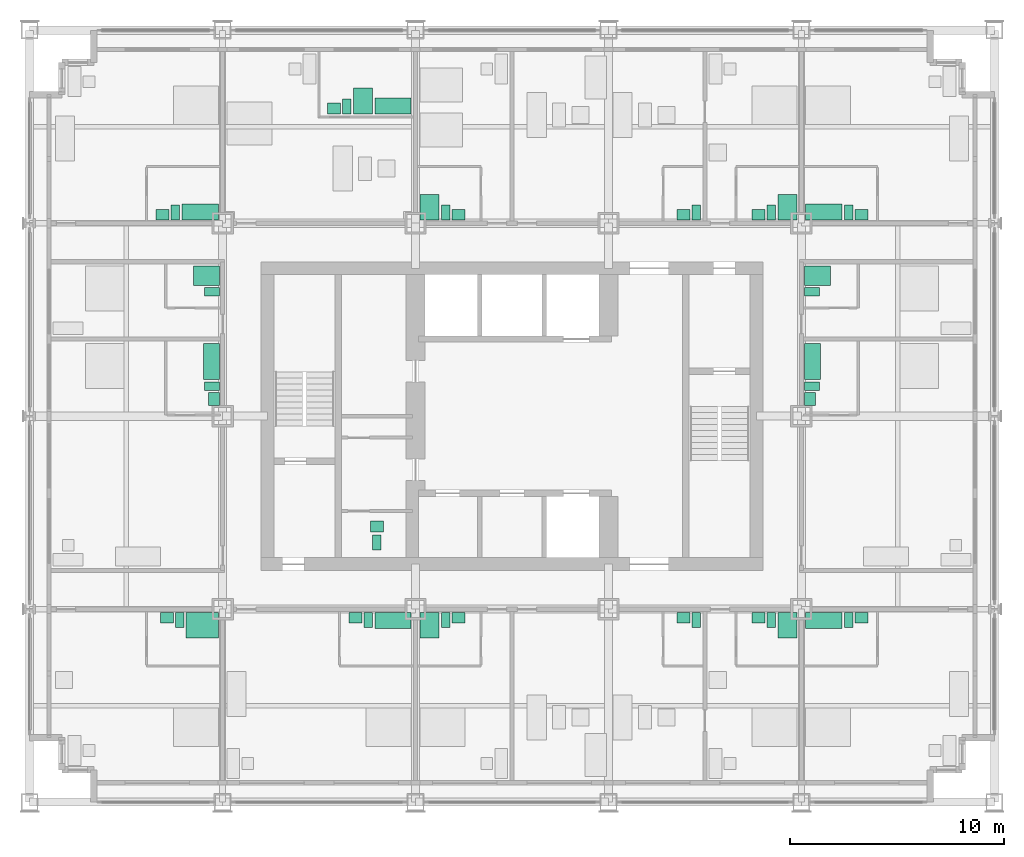
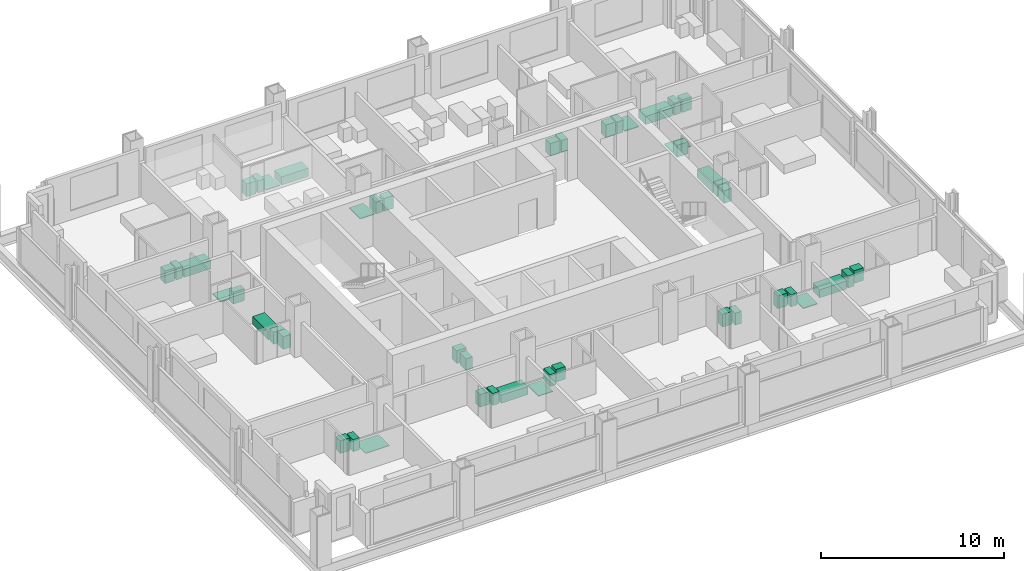
# One storey, part 16 of 17: 47 sanitary terminals.
"""IFC4 building model written with IfcOpenShell, lengths in metres."""

from ifc_helpers import new_model, si_unit, direction, frame, origin, origin_2d, place, context, subcontext, project, spatial, rectangle, extrude, element, save


model = new_model("IFC4")

# Units and contexts
model_context = context("Model", 3, precision=1e-05, world=origin(), true_north=direction((0.0, 1.0)))
body_context = subcontext(model_context, "Body", "Model", "MODEL_VIEW")
ifc_project = project(units=[si_unit("LENGTHUNIT", "METRE"), si_unit("AREAUNIT", "SQUARE_METRE"), si_unit("VOLUMEUNIT", "CUBIC_METRE"), si_unit("PLANEANGLEUNIT", "RADIAN"), si_unit("MASSUNIT", "GRAM", prefix="KILO")], contexts=[model_context])

# Site, building, storey
site_placement = place(None, origin())
site = spatial("IfcSite", under=ifc_project, at=site_placement, CompositionType="ELEMENT")
building_placement = place(site_placement, origin())
building = spatial("IfcBuilding", under=site, at=building_placement, Name="Loomwork Tower", CompositionType="ELEMENT")
storey_placement = place(building_placement, frame((0.0, 0.0, 152.0)))
storey = spatial("IfcBuildingStorey", under=building, at=storey_placement, Name="L41", CompositionType="ELEMENT", Elevation=152.0)

# Sanitary terminals
sanitary_terminal_1_placement = place(storey_placement, frame((8.050048828125, 8.25, 0.0), z_axis=(0.0, 0.0, 1.0), x_axis=(1.0, 0.0, 0.0)))
element("IfcSanitaryTerminal", 1, at=sanitary_terminal_1_placement, inside=storey, Name="Roll-in shower floor L41", PredefinedType="SHOWER", context=body_context, shape_type="SweptSolid", body=[
    extrude(rectangle(XDim=1.5, YDim=1.199951171875, at=origin_2d()), origin(), (0.0, 0.0, 1.0), 0.030029296875),
])
sanitary_terminal_2_placement = place(storey_placement, frame((7.0, 8.5, 0.0), z_axis=(0.0, 0.0, 1.0), x_axis=(1.0, 0.0, 0.0)))
element("IfcSanitaryTerminal", 2, at=sanitary_terminal_2_placement, inside=storey, Name="WC L41", PredefinedType="TOILETPAN", context=body_context, shape_type="SweptSolid", body=[
    extrude(rectangle(XDim=0.39990234375, YDim=0.699951171875, at=origin_2d()), origin(), (0.0, 0.0, 1.0), 0.800048828125),
])
sanitary_terminal_3_placement = place(storey_placement, frame((6.39990234375, 8.60009765625, 0.0), z_axis=(0.0, 0.0, 1.0), x_axis=(1.0, 0.0, 0.0)))
element("IfcSanitaryTerminal", 3, at=sanitary_terminal_3_placement, inside=storey, Name="Basin vanity L41", PredefinedType="WASHHANDBASIN", context=body_context, shape_type="SweptSolid", body=[
    extrude(rectangle(XDim=0.60009765625, YDim=0.5, at=origin_2d()), origin(), (0.0, 0.0, 1.0), 0.85009765625),
])
sanitary_terminal_4_placement = place(storey_placement, frame((16.949951171875, 8.47509765625, 0.0), z_axis=(0.0, 0.0, 1.0), x_axis=(1.0, 0.0, 0.0)))
element("IfcSanitaryTerminal", 4, at=sanitary_terminal_4_placement, inside=storey, Name="Bath L41", PredefinedType="BATH", context=body_context, shape_type="SweptSolid", body=[
    extrude(rectangle(XDim=1.699951171875, YDim=0.75, at=origin_2d()), origin(), (0.0, 0.0, 1.0), 0.550048828125),
])
sanitary_terminal_5_placement = place(storey_placement, frame((15.800048828125, 8.5, 0.0), z_axis=(0.0, 0.0, 1.0), x_axis=(1.0, 0.0, 0.0)))
element("IfcSanitaryTerminal", 5, at=sanitary_terminal_5_placement, inside=storey, Name="WC L41", PredefinedType="TOILETPAN", context=body_context, shape_type="SweptSolid", body=[
    extrude(rectangle(XDim=0.39990234375, YDim=0.699951171875, at=origin_2d()), origin(), (0.0, 0.0, 1.0), 0.800048828125),
])
sanitary_terminal_6_placement = place(storey_placement, frame((15.199951171875, 8.60009765625, 0.0), z_axis=(0.0, 0.0, 1.0), x_axis=(1.0, 0.0, 0.0)))
element("IfcSanitaryTerminal", 6, at=sanitary_terminal_6_placement, inside=storey, Name="Basin vanity L41", PredefinedType="WASHHANDBASIN", context=body_context, shape_type="SweptSolid", body=[
    extrude(rectangle(XDim=0.60009765625, YDim=0.5, at=origin_2d()), origin(), (0.0, 0.0, 1.0), 0.85009765625),
])
sanitary_terminal_7_placement = place(storey_placement, frame((18.64990234375, 8.25, 0.0), z_axis=(0.0, 0.0, 1.0), x_axis=(1.0, 0.0, 0.0)))
element("IfcSanitaryTerminal", 7, at=sanitary_terminal_7_placement, inside=storey, Name="Shower tray L41", PredefinedType="SHOWER", context=body_context, shape_type="SweptSolid", body=[
    extrude(rectangle(XDim=0.89990234375, YDim=1.199951171875, at=origin_2d()), origin(), (0.0, 0.0, 1.0), 0.050048828125),
])
sanitary_terminal_8_placement = place(storey_placement, frame((19.39990234375, 8.5, 0.0), z_axis=(0.0, 0.0, 1.0), x_axis=(1.0, 0.0, 0.0)))
element("IfcSanitaryTerminal", 8, at=sanitary_terminal_8_placement, inside=storey, Name="WC L41", PredefinedType="TOILETPAN", context=body_context, shape_type="SweptSolid", body=[
    extrude(rectangle(XDim=0.39990234375, YDim=0.699951171875, at=origin_2d()), origin(), (0.0, 0.0, 1.0), 0.800048828125),
])
sanitary_terminal_9_placement = place(storey_placement, frame((20.0, 8.60009765625, 0.0), z_axis=(0.0, 0.0, 1.0), x_axis=(1.0, 0.0, 0.0)))
element("IfcSanitaryTerminal", 9, at=sanitary_terminal_9_placement, inside=storey, Name="Basin vanity L41", PredefinedType="WASHHANDBASIN", context=body_context, shape_type="SweptSolid", body=[
    extrude(rectangle(XDim=0.60009765625, YDim=0.5, at=origin_2d()), origin(), (0.0, 0.0, 1.0), 0.85009765625),
])
sanitary_terminal_10_placement = place(storey_placement, frame((31.10009765625, 8.5, 0.0), z_axis=(0.0, 0.0, 1.0), x_axis=(1.0, 0.0, 0.0)))
element("IfcSanitaryTerminal", 10, at=sanitary_terminal_10_placement, inside=storey, Name="WC L41", PredefinedType="TOILETPAN", context=body_context, shape_type="SweptSolid", body=[
    extrude(rectangle(XDim=0.39990234375, YDim=0.699951171875, at=origin_2d()), origin(), (0.0, 0.0, 1.0), 0.800048828125),
])
sanitary_terminal_11_placement = place(storey_placement, frame((30.5, 8.60009765625, 0.0), z_axis=(0.0, 0.0, 1.0), x_axis=(1.0, 0.0, 0.0)))
element("IfcSanitaryTerminal", 11, at=sanitary_terminal_11_placement, inside=storey, Name="Basin vanity L41", PredefinedType="WASHHANDBASIN", context=body_context, shape_type="SweptSolid", body=[
    extrude(rectangle(XDim=0.60009765625, YDim=0.5, at=origin_2d()), origin(), (0.0, 0.0, 1.0), 0.85009765625),
])
sanitary_terminal_12_placement = place(storey_placement, frame((35.35009765625, 8.25, 0.0), z_axis=(0.0, 0.0, 1.0), x_axis=(1.0, 0.0, 0.0)))
element("IfcSanitaryTerminal", 12, at=sanitary_terminal_12_placement, inside=storey, Name="Shower tray L41", PredefinedType="SHOWER", context=body_context, shape_type="SweptSolid", body=[
    extrude(rectangle(XDim=0.89990234375, YDim=1.199951171875, at=origin_2d()), origin(), (0.0, 0.0, 1.0), 0.050048828125),
])
sanitary_terminal_13_placement = place(storey_placement, frame((34.60009765625, 8.5, 0.0), z_axis=(0.0, 0.0, 1.0), x_axis=(1.0, 0.0, 0.0)))
element("IfcSanitaryTerminal", 13, at=sanitary_terminal_13_placement, inside=storey, Name="WC L41", PredefinedType="TOILETPAN", context=body_context, shape_type="SweptSolid", body=[
    extrude(rectangle(XDim=0.39990234375, YDim=0.699951171875, at=origin_2d()), origin(), (0.0, 0.0, 1.0), 0.800048828125),
])
sanitary_terminal_14_placement = place(storey_placement, frame((34.0, 8.60009765625, 0.0), z_axis=(0.0, 0.0, 1.0), x_axis=(1.0, 0.0, 0.0)))
element("IfcSanitaryTerminal", 14, at=sanitary_terminal_14_placement, inside=storey, Name="Basin vanity L41", PredefinedType="WASHHANDBASIN", context=body_context, shape_type="SweptSolid", body=[
    extrude(rectangle(XDim=0.60009765625, YDim=0.5, at=origin_2d()), origin(), (0.0, 0.0, 1.0), 0.85009765625),
])
sanitary_terminal_15_placement = place(storey_placement, frame((37.050048828125, 8.47509765625, 0.0), z_axis=(0.0, 0.0, 1.0), x_axis=(1.0, 0.0, 0.0)))
element("IfcSanitaryTerminal", 15, at=sanitary_terminal_15_placement, inside=storey, Name="Bath L41", PredefinedType="BATH", context=body_context, shape_type="SweptSolid", body=[
    extrude(rectangle(XDim=1.699951171875, YDim=0.75, at=origin_2d()), origin(), (0.0, 0.0, 1.0), 0.550048828125),
])
sanitary_terminal_16_placement = place(storey_placement, frame((38.199951171875, 8.5, 0.0), z_axis=(0.0, 0.0, 1.0), x_axis=(1.0, 0.0, 0.0)))
element("IfcSanitaryTerminal", 16, at=sanitary_terminal_16_placement, inside=storey, Name="WC L41", PredefinedType="TOILETPAN", context=body_context, shape_type="SweptSolid", body=[
    extrude(rectangle(XDim=0.39990234375, YDim=0.699951171875, at=origin_2d()), origin(), (0.0, 0.0, 1.0), 0.800048828125),
])
sanitary_terminal_17_placement = place(storey_placement, frame((38.800048828125, 8.60009765625, 0.0), z_axis=(0.0, 0.0, 1.0), x_axis=(1.0, 0.0, 0.0)))
element("IfcSanitaryTerminal", 17, at=sanitary_terminal_17_placement, inside=storey, Name="Basin vanity L41", PredefinedType="WASHHANDBASIN", context=body_context, shape_type="SweptSolid", body=[
    extrude(rectangle(XDim=0.60009765625, YDim=0.5, at=origin_2d()), origin(), (0.0, 0.0, 1.0), 0.85009765625),
])
sanitary_terminal_18_placement = place(storey_placement, frame((7.949951171875, 27.52490234375, 0.0), z_axis=(0.0, 0.0, 1.0), x_axis=(1.0, 0.0, 0.0)))
element("IfcSanitaryTerminal", 18, at=sanitary_terminal_18_placement, inside=storey, Name="Bath L41", PredefinedType="BATH", context=body_context, shape_type="SweptSolid", body=[
    extrude(rectangle(XDim=1.699951171875, YDim=0.75, at=origin_2d()), origin(), (0.0, 0.0, 1.0), 0.550048828125),
])
sanitary_terminal_19_placement = place(storey_placement, frame((6.800048828125, 27.5, 0.0), z_axis=(0.0, 0.0, 1.0), x_axis=(1.0, 0.0, 0.0)))
element("IfcSanitaryTerminal", 19, at=sanitary_terminal_19_placement, inside=storey, Name="WC L41", PredefinedType="TOILETPAN", context=body_context, shape_type="SweptSolid", body=[
    extrude(rectangle(XDim=0.39990234375, YDim=0.699951171875, at=origin_2d()), origin(), (0.0, 0.0, 1.0), 0.800048828125),
])
sanitary_terminal_20_placement = place(storey_placement, frame((6.199951171875, 27.39990234375, 0.0), z_axis=(0.0, 0.0, 1.0), x_axis=(1.0, 0.0, 0.0)))
element("IfcSanitaryTerminal", 20, at=sanitary_terminal_20_placement, inside=storey, Name="Basin vanity L41", PredefinedType="WASHHANDBASIN", context=body_context, shape_type="SweptSolid", body=[
    extrude(rectangle(XDim=0.60009765625, YDim=0.5, at=origin_2d()), origin(), (0.0, 0.0, 1.0), 0.85009765625),
])
sanitary_terminal_21_placement = place(storey_placement, frame((16.949951171875, 32.47509765625, 0.0), z_axis=(0.0, 0.0, 1.0), x_axis=(1.0, 0.0, 0.0)))
element("IfcSanitaryTerminal", 21, at=sanitary_terminal_21_placement, inside=storey, Name="Bath L41", PredefinedType="BATH", context=body_context, shape_type="SweptSolid", body=[
    extrude(rectangle(XDim=1.699951171875, YDim=0.75, at=origin_2d()), origin(), (0.0, 0.0, 1.0), 0.550048828125),
])
sanitary_terminal_22_placement = place(storey_placement, frame((15.550048828125, 32.699951171875, 0.0), z_axis=(0.0, 0.0, 1.0), x_axis=(1.0, 0.0, 0.0)))
element("IfcSanitaryTerminal", 22, at=sanitary_terminal_22_placement, inside=storey, Name="Shower tray L41", PredefinedType="SHOWER", context=body_context, shape_type="SweptSolid", body=[
    extrude(rectangle(XDim=0.89990234375, YDim=1.199951171875, at=origin_2d()), origin(), (0.0, 0.0, 1.0), 0.050048828125),
])
sanitary_terminal_23_placement = place(storey_placement, frame((14.800048828125, 32.449951171875, 0.0), z_axis=(0.0, 0.0, 1.0), x_axis=(1.0, 0.0, 0.0)))
element("IfcSanitaryTerminal", 23, at=sanitary_terminal_23_placement, inside=storey, Name="WC L41", PredefinedType="TOILETPAN", context=body_context, shape_type="SweptSolid", body=[
    extrude(rectangle(XDim=0.39990234375, YDim=0.699951171875, at=origin_2d()), origin(), (0.0, 0.0, 1.0), 0.800048828125),
])
sanitary_terminal_24_placement = place(storey_placement, frame((14.199951171875, 32.35009765625, 0.0), z_axis=(0.0, 0.0, 1.0), x_axis=(1.0, 0.0, 0.0)))
element("IfcSanitaryTerminal", 24, at=sanitary_terminal_24_placement, inside=storey, Name="Basin vanity L41", PredefinedType="WASHHANDBASIN", context=body_context, shape_type="SweptSolid", body=[
    extrude(rectangle(XDim=0.60009765625, YDim=0.5, at=origin_2d()), origin(), (0.0, 0.0, 1.0), 0.85009765625),
])
sanitary_terminal_25_placement = place(storey_placement, frame((18.64990234375, 27.75, 0.0), z_axis=(0.0, 0.0, 1.0), x_axis=(1.0, 0.0, 0.0)))
element("IfcSanitaryTerminal", 25, at=sanitary_terminal_25_placement, inside=storey, Name="Shower tray L41", PredefinedType="SHOWER", context=body_context, shape_type="SweptSolid", body=[
    extrude(rectangle(XDim=0.89990234375, YDim=1.199951171875, at=origin_2d()), origin(), (0.0, 0.0, 1.0), 0.050048828125),
])
sanitary_terminal_26_placement = place(storey_placement, frame((19.39990234375, 27.5, 0.0), z_axis=(0.0, 0.0, 1.0), x_axis=(1.0, 0.0, 0.0)))
element("IfcSanitaryTerminal", 26, at=sanitary_terminal_26_placement, inside=storey, Name="WC L41", PredefinedType="TOILETPAN", context=body_context, shape_type="SweptSolid", body=[
    extrude(rectangle(XDim=0.39990234375, YDim=0.699951171875, at=origin_2d()), origin(), (0.0, 0.0, 1.0), 0.800048828125),
])
sanitary_terminal_27_placement = place(storey_placement, frame((20.0, 27.39990234375, 0.0), z_axis=(0.0, 0.0, 1.0), x_axis=(1.0, 0.0, 0.0)))
element("IfcSanitaryTerminal", 27, at=sanitary_terminal_27_placement, inside=storey, Name="Basin vanity L41", PredefinedType="WASHHANDBASIN", context=body_context, shape_type="SweptSolid", body=[
    extrude(rectangle(XDim=0.60009765625, YDim=0.5, at=origin_2d()), origin(), (0.0, 0.0, 1.0), 0.85009765625),
])
sanitary_terminal_28_placement = place(storey_placement, frame((31.10009765625, 27.5, 0.0), z_axis=(0.0, 0.0, 1.0), x_axis=(1.0, 0.0, 0.0)))
element("IfcSanitaryTerminal", 28, at=sanitary_terminal_28_placement, inside=storey, Name="WC L41", PredefinedType="TOILETPAN", context=body_context, shape_type="SweptSolid", body=[
    extrude(rectangle(XDim=0.39990234375, YDim=0.699951171875, at=origin_2d()), origin(), (0.0, 0.0, 1.0), 0.800048828125),
])
sanitary_terminal_29_placement = place(storey_placement, frame((30.5, 27.39990234375, 0.0), z_axis=(0.0, 0.0, 1.0), x_axis=(1.0, 0.0, 0.0)))
element("IfcSanitaryTerminal", 29, at=sanitary_terminal_29_placement, inside=storey, Name="Basin vanity L41", PredefinedType="WASHHANDBASIN", context=body_context, shape_type="SweptSolid", body=[
    extrude(rectangle(XDim=0.60009765625, YDim=0.5, at=origin_2d()), origin(), (0.0, 0.0, 1.0), 0.85009765625),
])
sanitary_terminal_30_placement = place(storey_placement, frame((35.35009765625, 27.75, 0.0), z_axis=(0.0, 0.0, 1.0), x_axis=(1.0, 0.0, 0.0)))
element("IfcSanitaryTerminal", 30, at=sanitary_terminal_30_placement, inside=storey, Name="Shower tray L41", PredefinedType="SHOWER", context=body_context, shape_type="SweptSolid", body=[
    extrude(rectangle(XDim=0.89990234375, YDim=1.199951171875, at=origin_2d()), origin(), (0.0, 0.0, 1.0), 0.050048828125),
])
sanitary_terminal_31_placement = place(storey_placement, frame((34.60009765625, 27.5, 0.0), z_axis=(0.0, 0.0, 1.0), x_axis=(1.0, 0.0, 0.0)))
element("IfcSanitaryTerminal", 31, at=sanitary_terminal_31_placement, inside=storey, Name="WC L41", PredefinedType="TOILETPAN", context=body_context, shape_type="SweptSolid", body=[
    extrude(rectangle(XDim=0.39990234375, YDim=0.699951171875, at=origin_2d()), origin(), (0.0, 0.0, 1.0), 0.800048828125),
])
sanitary_terminal_32_placement = place(storey_placement, frame((34.0, 27.39990234375, 0.0), z_axis=(0.0, 0.0, 1.0), x_axis=(1.0, 0.0, 0.0)))
element("IfcSanitaryTerminal", 32, at=sanitary_terminal_32_placement, inside=storey, Name="Basin vanity L41", PredefinedType="WASHHANDBASIN", context=body_context, shape_type="SweptSolid", body=[
    extrude(rectangle(XDim=0.60009765625, YDim=0.5, at=origin_2d()), origin(), (0.0, 0.0, 1.0), 0.85009765625),
])
sanitary_terminal_33_placement = place(storey_placement, frame((37.050048828125, 27.52490234375, 0.0), z_axis=(0.0, 0.0, 1.0), x_axis=(1.0, 0.0, 0.0)))
element("IfcSanitaryTerminal", 33, at=sanitary_terminal_33_placement, inside=storey, Name="Bath L41", PredefinedType="BATH", context=body_context, shape_type="SweptSolid", body=[
    extrude(rectangle(XDim=1.699951171875, YDim=0.75, at=origin_2d()), origin(), (0.0, 0.0, 1.0), 0.550048828125),
])
sanitary_terminal_34_placement = place(storey_placement, frame((38.199951171875, 27.5, 0.0), z_axis=(0.0, 0.0, 1.0), x_axis=(1.0, 0.0, 0.0)))
element("IfcSanitaryTerminal", 34, at=sanitary_terminal_34_placement, inside=storey, Name="WC L41", PredefinedType="TOILETPAN", context=body_context, shape_type="SweptSolid", body=[
    extrude(rectangle(XDim=0.39990234375, YDim=0.699951171875, at=origin_2d()), origin(), (0.0, 0.0, 1.0), 0.800048828125),
])
sanitary_terminal_35_placement = place(storey_placement, frame((38.800048828125, 27.39990234375, 0.0), z_axis=(0.0, 0.0, 1.0), x_axis=(1.0, 0.0, 0.0)))
element("IfcSanitaryTerminal", 35, at=sanitary_terminal_35_placement, inside=storey, Name="Basin vanity L41", PredefinedType="WASHHANDBASIN", context=body_context, shape_type="SweptSolid", body=[
    extrude(rectangle(XDim=0.60009765625, YDim=0.5, at=origin_2d()), origin(), (0.0, 0.0, 1.0), 0.85009765625),
])
sanitary_terminal_36_placement = place(storey_placement, frame((8.47509765625, 20.550048828125, 0.0), z_axis=(0.0, 0.0, 1.0), x_axis=(1.0, 0.0, 0.0)))
element("IfcSanitaryTerminal", 36, at=sanitary_terminal_36_placement, inside=storey, Name="Bath L41", PredefinedType="BATH", context=body_context, shape_type="SweptSolid", body=[
    extrude(rectangle(XDim=0.75, YDim=1.699951171875, at=origin_2d()), origin(), (0.0, 0.0, 1.0), 0.550048828125),
])
sanitary_terminal_37_placement = place(storey_placement, frame((8.5, 19.39990234375, 0.0), z_axis=(0.0, 0.0, 1.0), x_axis=(1.0, 0.0, 0.0)))
element("IfcSanitaryTerminal", 37, at=sanitary_terminal_37_placement, inside=storey, Name="WC L41", PredefinedType="TOILETPAN", context=body_context, shape_type="SweptSolid", body=[
    extrude(rectangle(XDim=0.699951171875, YDim=0.39990234375, at=origin_2d()), origin(), (0.0, 0.0, 1.0), 0.800048828125),
])
sanitary_terminal_38_placement = place(storey_placement, frame((8.60009765625, 18.800048828125, 0.0), z_axis=(0.0, 0.0, 1.0), x_axis=(1.0, 0.0, 0.0)))
element("IfcSanitaryTerminal", 38, at=sanitary_terminal_38_placement, inside=storey, Name="Basin vanity L41", PredefinedType="WASHHANDBASIN", context=body_context, shape_type="SweptSolid", body=[
    extrude(rectangle(XDim=0.5, YDim=0.60009765625, at=origin_2d()), origin(), (0.0, 0.0, 1.0), 0.85009765625),
])
sanitary_terminal_39_placement = place(storey_placement, frame((8.25, 24.550048828125, 0.0), z_axis=(0.0, 0.0, 1.0), x_axis=(1.0, 0.0, 0.0)))
element("IfcSanitaryTerminal", 39, at=sanitary_terminal_39_placement, inside=storey, Name="Shower tray L41", PredefinedType="SHOWER", context=body_context, shape_type="SweptSolid", body=[
    extrude(rectangle(XDim=1.199951171875, YDim=0.89990234375, at=origin_2d()), origin(), (0.0, 0.0, 1.0), 0.050048828125),
])
sanitary_terminal_40_placement = place(storey_placement, frame((8.5, 23.800048828125, 0.0), z_axis=(0.0, 0.0, 1.0), x_axis=(1.0, 0.0, 0.0)))
element("IfcSanitaryTerminal", 40, at=sanitary_terminal_40_placement, inside=storey, Name="WC L41", PredefinedType="TOILETPAN", context=body_context, shape_type="SweptSolid", body=[
    extrude(rectangle(XDim=0.699951171875, YDim=0.39990234375, at=origin_2d()), origin(), (0.0, 0.0, 1.0), 0.800048828125),
])
sanitary_terminal_41_placement = place(storey_placement, frame((36.52490234375, 20.550048828125, 0.0), z_axis=(0.0, 0.0, 1.0), x_axis=(1.0, 0.0, 0.0)))
element("IfcSanitaryTerminal", 41, at=sanitary_terminal_41_placement, inside=storey, Name="Bath L41", PredefinedType="BATH", context=body_context, shape_type="SweptSolid", body=[
    extrude(rectangle(XDim=0.75, YDim=1.699951171875, at=origin_2d()), origin(), (0.0, 0.0, 1.0), 0.550048828125),
])
sanitary_terminal_42_placement = place(storey_placement, frame((36.5, 19.39990234375, 0.0), z_axis=(0.0, 0.0, 1.0), x_axis=(1.0, 0.0, 0.0)))
element("IfcSanitaryTerminal", 42, at=sanitary_terminal_42_placement, inside=storey, Name="WC L41", PredefinedType="TOILETPAN", context=body_context, shape_type="SweptSolid", body=[
    extrude(rectangle(XDim=0.699951171875, YDim=0.39990234375, at=origin_2d()), origin(), (0.0, 0.0, 1.0), 0.800048828125),
])
sanitary_terminal_43_placement = place(storey_placement, frame((36.39990234375, 18.800048828125, 0.0), z_axis=(0.0, 0.0, 1.0), x_axis=(1.0, 0.0, 0.0)))
element("IfcSanitaryTerminal", 43, at=sanitary_terminal_43_placement, inside=storey, Name="Basin vanity L41", PredefinedType="WASHHANDBASIN", context=body_context, shape_type="SweptSolid", body=[
    extrude(rectangle(XDim=0.5, YDim=0.60009765625, at=origin_2d()), origin(), (0.0, 0.0, 1.0), 0.85009765625),
])
sanitary_terminal_44_placement = place(storey_placement, frame((36.75, 24.550048828125, 0.0), z_axis=(0.0, 0.0, 1.0), x_axis=(1.0, 0.0, 0.0)))
element("IfcSanitaryTerminal", 44, at=sanitary_terminal_44_placement, inside=storey, Name="Shower tray L41", PredefinedType="SHOWER", context=body_context, shape_type="SweptSolid", body=[
    extrude(rectangle(XDim=1.199951171875, YDim=0.89990234375, at=origin_2d()), origin(), (0.0, 0.0, 1.0), 0.050048828125),
])
sanitary_terminal_45_placement = place(storey_placement, frame((36.5, 23.800048828125, 0.0), z_axis=(0.0, 0.0, 1.0), x_axis=(1.0, 0.0, 0.0)))
element("IfcSanitaryTerminal", 45, at=sanitary_terminal_45_placement, inside=storey, Name="WC L41", PredefinedType="TOILETPAN", context=body_context, shape_type="SweptSolid", body=[
    extrude(rectangle(XDim=0.699951171875, YDim=0.39990234375, at=origin_2d()), origin(), (0.0, 0.0, 1.0), 0.800048828125),
])
sanitary_terminal_46_placement = place(storey_placement, frame((16.199951171875, 12.10009765625, 0.0), z_axis=(0.0, 0.0, 1.0), x_axis=(1.0, 0.0, 0.0)))
element("IfcSanitaryTerminal", 46, at=sanitary_terminal_46_placement, inside=storey, Name="WC L41", PredefinedType="TOILETPAN", context=body_context, shape_type="SweptSolid", body=[
    extrude(rectangle(XDim=0.39990234375, YDim=0.699951171875, at=origin_2d()), origin(), (0.0, 0.0, 1.0), 0.800048828125),
])
sanitary_terminal_47_placement = place(storey_placement, frame((16.199951171875, 12.85009765625, 0.0), z_axis=(0.0, 0.0, 1.0), x_axis=(1.0, 0.0, 0.0)))
element("IfcSanitaryTerminal", 47, at=sanitary_terminal_47_placement, inside=storey, Name="Basin L41", PredefinedType="WASHHANDBASIN", context=body_context, shape_type="SweptSolid", body=[
    extrude(rectangle(XDim=0.60009765625, YDim=0.5, at=origin_2d()), origin(), (0.0, 0.0, 1.0), 0.85009765625),
])

save(model, "model.ifc")
